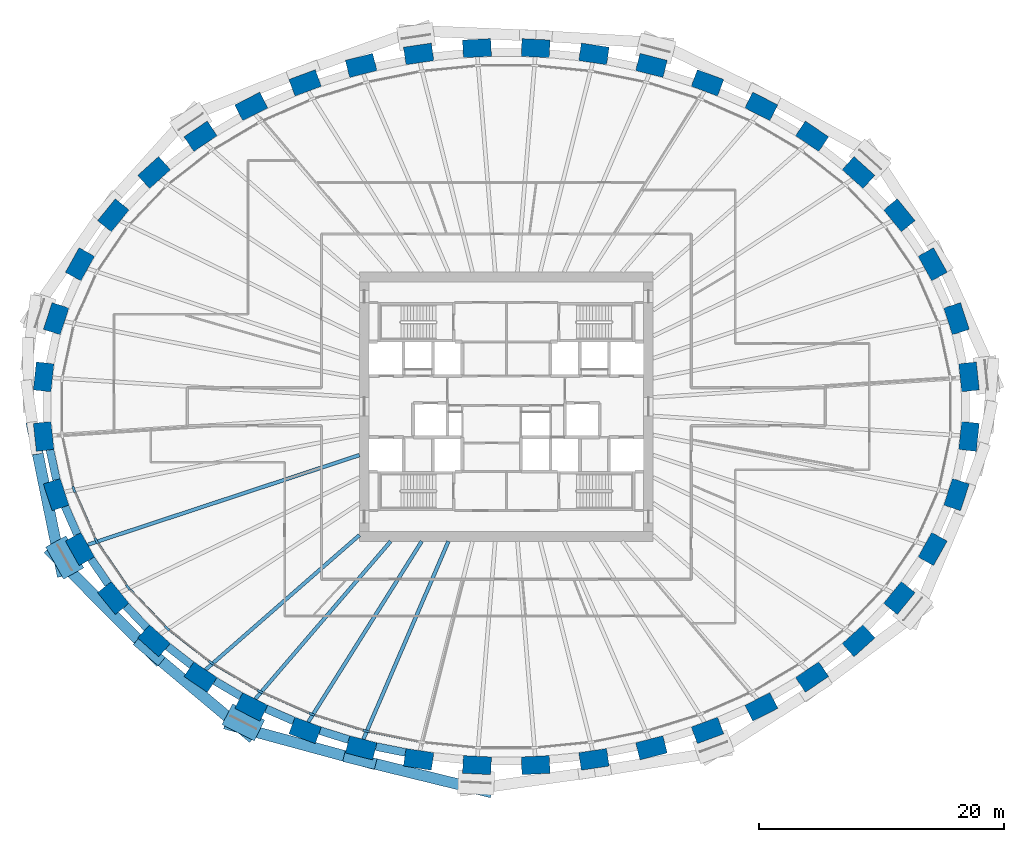
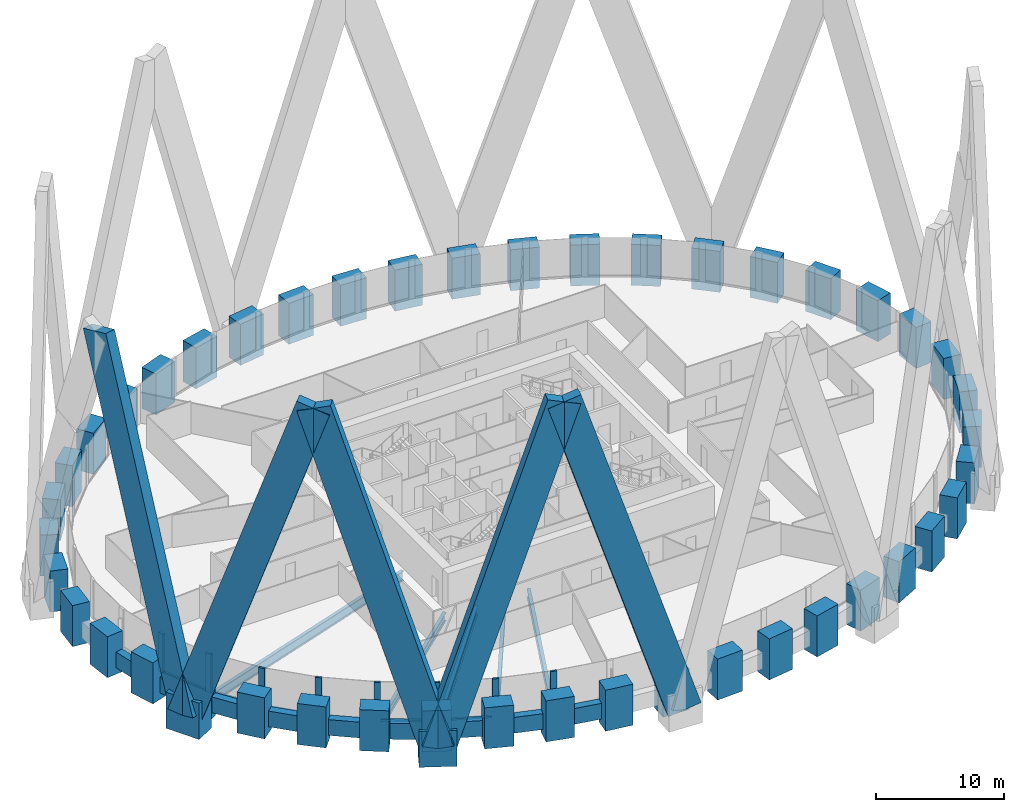
# One storey, part 1 of 12: 44 columns, 23 members, 14 beams, 1 element without a shape of its own.
"""IFC4 building model written with IfcOpenShell, lengths in metres."""

from ifc_helpers import new_model, si_unit, direction, frame, origin, origin_2d, place, context, subcontext, project, spatial, rectangle, i_section, extrude, source, transform, mapped, material, material_profile, profile_set, type_object, element, aggregate, save


model = new_model("IFC4")

# Units and contexts
model_context = context("Model", 3, precision=1e-05, world=origin(), true_north=direction((0.0, 1.0)))
body_context = subcontext(model_context, "Body", "Model", "MODEL_VIEW")
ifc_project = project(units=[si_unit("LENGTHUNIT", "METRE"), si_unit("AREAUNIT", "SQUARE_METRE"), si_unit("VOLUMEUNIT", "CUBIC_METRE"), si_unit("PLANEANGLEUNIT", "RADIAN"), si_unit("MASSUNIT", "GRAM", prefix="KILO")], contexts=[model_context])

# Site, building, storey
site_placement = place(None, origin())
site = spatial("IfcSite", under=ifc_project, at=site_placement, CompositionType="ELEMENT")
building_placement = place(site_placement, origin())
building = spatial("IfcBuilding", under=site, at=building_placement, Name="Embergate Tower", CompositionType="ELEMENT")
storey_placement = place(building_placement, frame((0.0, 0.0, 159.89990234375)))
storey = spatial("IfcBuildingStorey", under=building, at=storey_placement, Name="L35", CompositionType="ELEMENT", Elevation=159.89990234375)

# Columns
ifc_material_1 = material(Name="Concrete C70", Category="concrete")
ifc_material_profile_1 = material_profile(ifc_material_1, rectangle(XDim=1.449951171875, YDim=2.300048828125, at=origin_2d()), Name="RC 1450x2300")
ifc_profile_set_1 = profile_set([ifc_material_profile_1], Name="Concrete C70")
column_type = type_object("IfcColumnType", Name="Ring column RC 1450x2300 C70", PredefinedType="COLUMN", material=ifc_profile_set_1)
shared_shape_1 = source(origin(), body_context, "Body", "SweptSolid", [
    extrude(rectangle(XDim=1.449951171875, YDim=2.300048828125, at=origin_2d()), origin(), (0.0, 0.0, 1.0), 3.89990234375),
])
for number, where, z_axis, x_axis, name in (
    (1, (37.7919921875, 2.431884765625, -1.39990234375), (0.0, 0.0, 1.0), (0.99428589498, 0.106749983816, 0.0), "COL-L35-00"),
    (2, (36.76904296875, 7.18408203125, -1.39990234375), (0.0, 0.0, 1.0), (0.950754033697, 0.309946394413, 0.0), "COL-L35-01"),
    (3, (34.821044921875, 11.6279296875, -1.39990234375), (0.0, 0.0, 1.0), (0.873491969053, 0.486838556403, 0.0), "COL-L35-02"),
    (4, (32.10009765625, 15.62890625, -1.39990234375), (0.0, 0.0, 1.0), (0.775914301615, 0.630838328377, 0.0), "COL-L35-03"),
    (5, (28.76904296875, 19.1220703125, -1.39990234375), (0.0, 0.0, 1.0), (0.669208424634, 0.74307475021, 0.0), "COL-L35-04"),
    (6, (24.972900390625, 22.0849609375, -1.39990234375), (0.0, 0.0, 1.0), (0.560393279442, 0.828226643109, 0.0), "COL-L35-05"),
    (7, (20.830078125, 24.52099609375, -1.39990234375), (0.0, 0.0, 1.0), (0.452994952881, 0.891513080478, 0.0), "COL-L35-06"),
    (8, (16.43310546875, 26.444091796875, -1.39990234375), (0.0, 0.0, 1.0), (0.348343015724, 0.93736713373, 0.0), "COL-L35-07"),
    (9, (11.85595703125, 27.868896484375, -1.39990234375), (0.0, 0.0, 1.0), (0.246491603437, 0.969144926951, 0.0), "COL-L35-08"),
    (10, (7.158935546875, 28.81103515625, -1.39990234375), (0.0, 0.0, 1.0), (0.146929011949, 0.989147039346, 0.0), "COL-L35-09"),
    (11, (2.39404296875, 29.280029296875, -1.39990234375), (0.0, 0.0, 1.0), (0.048814904854, 0.998807841912, 0.0), "COL-L35-10"),
    (12, (-2.39404296875, 29.280029296875, -1.39990234375), (0.0, 0.0, 1.0), (-0.048814904854, 0.998807841912, 0.0), "COL-L35-11"),
    (13, (-7.158935546875, 28.81103515625, -1.39990234375), (0.0, 0.0, 1.0), (-0.146929011949, 0.989147039346, 0.0), "COL-L35-12"),
    (14, (-11.85595703125, 27.868896484375, -1.39990234375), (0.0, 0.0, 1.0), (-0.246491603437, 0.969144926951, 0.0), "COL-L35-13"),
    (15, (-16.43310546875, 26.444091796875, -1.39990234375), (0.0, 0.0, 1.0), (-0.348343015724, 0.93736713373, 0.0), "COL-L35-14"),
    (16, (-20.830078125, 24.52099609375, -1.39990234375), (0.0, 0.0, 1.0), (-0.452994952881, 0.891513080478, 0.0), "COL-L35-15"),
    (17, (-24.972900390625, 22.0849609375, -1.39990234375), (0.0, 0.0, 1.0), (-0.560393279442, 0.828226643109, 0.0), "COL-L35-16"),
    (18, (-28.76904296875, 19.1220703125, -1.39990234375), (0.0, 0.0, 1.0), (-0.669208424634, 0.74307475021, 0.0), "COL-L35-17"),
    (19, (-32.10009765625, 15.62890625, -1.39990234375), (0.0, 0.0, 1.0), (-0.775914301615, 0.630838328377, 0.0), "COL-L35-18"),
    (20, (-34.821044921875, 11.6279296875, -1.39990234375), (0.0, 0.0, 1.0), (-0.873491969053, 0.486838556403, 0.0), "COL-L35-19"),
    (21, (-36.76904296875, 7.18408203125, -1.39990234375), (0.0, 0.0, 1.0), (-0.950754033697, 0.309946394413, 0.0), "COL-L35-20"),
    (22, (-37.7919921875, 2.431884765625, -1.39990234375), (0.0, 0.0, 1.0), (-0.99428589498, 0.106749983816, 0.0), "COL-L35-21"),
    (23, (-37.7919921875, -2.431884765625, -1.39990234375), (0.0, 0.0, 1.0), (-0.99428589498, -0.106749983816, 0.0), "COL-L35-22"),
    (24, (-36.76904296875, -7.18408203125, -1.39990234375), (0.0, 0.0, 1.0), (-0.950754033697, -0.309946394413, 0.0), "COL-L35-23"),
    (25, (-34.821044921875, -11.6279296875, -1.39990234375), (0.0, 0.0, 1.0), (-0.873491969053, -0.486838556403, 0.0), "COL-L35-24"),
    (26, (-32.10009765625, -15.62890625, -1.39990234375), (0.0, 0.0, 1.0), (-0.775914301615, -0.630838328377, 0.0), "COL-L35-25"),
    (27, (-28.76904296875, -19.1220703125, -1.39990234375), (0.0, 0.0, 1.0), (-0.669208424634, -0.74307475021, 0.0), "COL-L35-26"),
    (28, (-24.972900390625, -22.0849609375, -1.39990234375), (0.0, 0.0, 1.0), (-0.560393279442, -0.828226643109, 0.0), "COL-L35-27"),
    (29, (-20.830078125, -24.52099609375, -1.39990234375), (0.0, 0.0, 1.0), (-0.452994952881, -0.891513080478, 0.0), "COL-L35-28"),
    (30, (-16.43310546875, -26.444091796875, -1.39990234375), (0.0, 0.0, 1.0), (-0.348343015724, -0.93736713373, 0.0), "COL-L35-29"),
    (31, (-11.85595703125, -27.868896484375, -1.39990234375), (0.0, 0.0, 1.0), (-0.246491603437, -0.969144926951, 0.0), "COL-L35-30"),
    (32, (-7.158935546875, -28.81103515625, -1.39990234375), (0.0, 0.0, 1.0), (-0.146929011949, -0.989147039346, 0.0), "COL-L35-31"),
    (33, (-2.39404296875, -29.280029296875, -1.39990234375), (0.0, 0.0, 1.0), (-0.048814904854, -0.998807841912, 0.0), "COL-L35-32"),
    (34, (2.39404296875, -29.280029296875, -1.39990234375), (0.0, 0.0, 1.0), (0.048814904854, -0.998807841912, 0.0), "COL-L35-33"),
    (35, (7.158935546875, -28.81103515625, -1.39990234375), (0.0, 0.0, 1.0), (0.146929011949, -0.989147039346, 0.0), "COL-L35-34"),
    (36, (11.85595703125, -27.868896484375, -1.39990234375), (0.0, 0.0, 1.0), (0.246491603437, -0.969144926951, 0.0), "COL-L35-35"),
    (37, (16.43310546875, -26.444091796875, -1.39990234375), (0.0, 0.0, 1.0), (0.348343015724, -0.93736713373, 0.0), "COL-L35-36"),
    (38, (20.830078125, -24.52099609375, -1.39990234375), (0.0, 0.0, 1.0), (0.452994952881, -0.891513080478, 0.0), "COL-L35-37"),
    (39, (24.972900390625, -22.0849609375, -1.39990234375), (0.0, 0.0, 1.0), (0.560393279442, -0.828226643109, 0.0), "COL-L35-38"),
    (40, (28.76904296875, -19.1220703125, -1.39990234375), (0.0, 0.0, 1.0), (0.669208424634, -0.74307475021, 0.0), "COL-L35-39"),
    (41, (32.10009765625, -15.62890625, -1.39990234375), (0.0, 0.0, 1.0), (0.775914301615, -0.630838328377, 0.0), "COL-L35-40"),
    (42, (34.821044921875, -11.6279296875, -1.39990234375), (0.0, 0.0, 1.0), (0.873491969053, -0.486838556403, 0.0), "COL-L35-41"),
    (43, (36.76904296875, -7.18408203125, -1.39990234375), (0.0, 0.0, 1.0), (0.950754033697, -0.309946394413, 0.0), "COL-L35-42"),
    (44, (37.7919921875, -2.431884765625, -1.39990234375), (0.0, 0.0, 1.0), (0.99428589498, -0.106749983816, 0.0), "COL-L35-43"),
):
    element("IfcColumn", number, at=place(storey_placement, frame(where, z_axis=z_axis, x_axis=x_axis)), inside=storey, type_object=column_type, Name=name, PredefinedType="COLUMN", context=body_context, shape_type="MappedRepresentation", body=[
        mapped(shared_shape_1, transform((0.0, 0.0, 0.0))),
    ])

# Beams
ifc_material_profile_2 = material_profile(ifc_material_1, rectangle(XDim=0.64990234375, YDim=1.5, at=origin_2d()), Name="RC 650x1500")
ifc_profile_set_2 = profile_set([ifc_material_profile_2], Name="Concrete C70")
beam_type_1 = type_object("IfcBeamType", Name="Spandrel beam RC 650x1500 C70", PredefinedType="BEAM", material=ifc_profile_set_2)
shared_shape_2 = source(origin(), body_context, "Body", "SweptSolid", [
    extrude(rectangle(XDim=0.64990234375, YDim=1.5, at=origin_2d()), origin(), (0.0, 0.0, 1.0), 2.490966796875),
])
beam_1_placement = place(storey_placement, frame((-37.27294921875, -3.532958984375, 0.0), z_axis=(0.210720345789, -0.977546385534, 0.0), x_axis=(0.977546385534, 0.210720345789, 0.0)))
element("IfcBeam", 45, at=beam_1_placement, inside=storey, type_object=beam_type_1, Name="SPN-L35-22", PredefinedType="BEAM", context=body_context, shape_type="MappedRepresentation", body=[
    mapped(shared_shape_2, transform((0.0, 0.0, 0.0))),
])
shared_shape_3 = source(origin(), body_context, "Body", "SweptSolid", [
    extrude(rectangle(XDim=0.64990234375, YDim=1.5, at=origin_2d()), origin(), (0.0, 0.0, 1.0), 2.48828125),
])
beam_2_placement = place(storey_placement, frame((-36.041015625, -8.156005859375, 0.0), z_axis=(0.401472379967, -0.91587113074, 0.0), x_axis=(0.91587113074, 0.401472379967, 0.0)))
element("IfcBeam", 46, at=beam_2_placement, inside=storey, type_object=beam_type_1, Name="SPN-L35-23", PredefinedType="BEAM", context=body_context, shape_type="MappedRepresentation", body=[
    mapped(shared_shape_3, transform((0.0, 0.0, 0.0))),
])
shared_shape_4 = source(origin(), body_context, "Body", "SweptSolid", [
    extrude(rectangle(XDim=0.64990234375, YDim=1.5, at=origin_2d()), origin(), (0.0, 0.0, 1.0), 2.4775390625),
])
beam_3_placement = place(storey_placement, frame((-33.910888671875, -12.43701171875, 0.0), z_axis=(0.562159078618, -0.827029123022, 0.0), x_axis=(0.827029123022, 0.562159078618, 0.0)))
element("IfcBeam", 47, at=beam_3_placement, inside=storey, type_object=beam_type_1, Name="SPN-L35-24", PredefinedType="BEAM", context=body_context, shape_type="MappedRepresentation", body=[
    mapped(shared_shape_4, transform((0.0, 0.0, 0.0))),
])
shared_shape_5 = source(origin(), body_context, "Body", "SweptSolid", [
    extrude(rectangle(XDim=0.64990234375, YDim=1.5, at=origin_2d()), origin(), (0.0, 0.0, 1.0), 2.473388671875),
])
beam_4_placement = place(storey_placement, frame((-31.072021484375, -16.27490234375, 0.0), z_axis=(0.69012823406, -0.723687101276, 0.0), x_axis=(0.723687101276, 0.69012823406, 0.0)))
element("IfcBeam", 48, at=beam_4_placement, inside=storey, type_object=beam_type_1, Name="SPN-L35-25", PredefinedType="BEAM", context=body_context, shape_type="MappedRepresentation", body=[
    mapped(shared_shape_5, transform((0.0, 0.0, 0.0))),
])
shared_shape_6 = source(origin(), body_context, "Body", "SweptSolid", [
    extrude(rectangle(XDim=0.64990234375, YDim=1.5, at=origin_2d()), origin(), (0.0, 0.0, 1.0), 2.466552734375),
])
beam_5_placement = place(storey_placement, frame((-27.64697265625, -19.593994140625, 0.0), z_axis=(0.788172909908, -0.615453868367, 0.0), x_axis=(0.615453868367, 0.788172909908, 0.0)))
element("IfcBeam", 49, at=beam_5_placement, inside=storey, type_object=beam_type_1, Name="SPN-L35-26", PredefinedType="BEAM", context=body_context, shape_type="MappedRepresentation", body=[
    mapped(shared_shape_6, transform((0.0, 0.0, 0.0))),
])
shared_shape_7 = source(origin(), body_context, "Body", "SweptSolid", [
    extrude(rectangle(XDim=0.64990234375, YDim=1.5, at=origin_2d()), origin(), (0.0, 0.0, 1.0), 2.46142578125),
])
beam_6_placement = place(storey_placement, frame((-23.801025390625, -22.405029296875, 0.0), z_axis=(0.86214832468, -0.506655964389, 0.0), x_axis=(0.506655964389, 0.86214832468, 0.0)))
element("IfcBeam", 50, at=beam_6_placement, inside=storey, type_object=beam_type_1, Name="SPN-L35-27", PredefinedType="BEAM", context=body_context, shape_type="MappedRepresentation", body=[
    mapped(shared_shape_7, transform((0.0, 0.0, 0.0))),
])
shared_shape_8 = source(origin(), body_context, "Body", "SweptSolid", [
    extrude(rectangle(XDim=0.64990234375, YDim=1.5, at=origin_2d()), origin(), (0.0, 0.0, 1.0), 2.456787109375),
])
beam_7_placement = place(storey_placement, frame((-19.62109375, -24.679931640625, 0.0), z_axis=(0.916257660854, -0.40058943936, 0.0), x_axis=(0.40058943936, 0.916257660854, 0.0)))
element("IfcBeam", 51, at=beam_7_placement, inside=storey, type_object=beam_type_1, Name="SPN-L35-28", PredefinedType="BEAM", context=body_context, shape_type="MappedRepresentation", body=[
    mapped(shared_shape_8, transform((0.0, 0.0, 0.0))),
])
shared_shape_9 = source(origin(), body_context, "Body", "SweptSolid", [
    extrude(rectangle(XDim=0.64990234375, YDim=1.5, at=origin_2d()), origin(), (0.0, 0.0, 1.0), 2.4541015625),
])
beam_8_placement = place(storey_placement, frame((-15.215087890625, -26.468017578125, 0.0), z_axis=(0.954736297307, -0.29745353016, 0.0), x_axis=(0.29745353016, 0.954736297307, 0.0)))
element("IfcBeam", 52, at=beam_8_placement, inside=storey, type_object=beam_type_1, Name="SPN-L35-29", PredefinedType="BEAM", context=body_context, shape_type="MappedRepresentation", body=[
    mapped(shared_shape_9, transform((0.0, 0.0, 0.0))),
])
shared_shape_10 = source(origin(), body_context, "Body", "SweptSolid", [
    extrude(rectangle(XDim=0.64990234375, YDim=1.5, at=origin_2d()), origin(), (0.0, 0.0, 1.0), 2.453125),
])
beam_9_placement = place(storey_placement, frame((-10.64306640625, -27.76611328125, 0.0), z_axis=(0.980431102511, -0.196862523679, 0.0), x_axis=(0.196862523679, 0.980431102511, 0.0)))
element("IfcBeam", 53, at=beam_9_placement, inside=storey, type_object=beam_type_1, Name="SPN-L35-30", PredefinedType="BEAM", context=body_context, shape_type="MappedRepresentation", body=[
    mapped(shared_shape_10, transform((0.0, 0.0, 0.0))),
])
ifc_material_2 = material(Name="Steel Q355B", Category="steel")
ifc_material_profile_3 = material_profile(ifc_material_2, i_section(OverallWidth=0.300048828125, OverallDepth=0.89990234375, WebThickness=0.01611328125, FlangeThickness=0.028076171875, FilletRadius=0.028076171875, at=origin_2d()), Name="HN 900x300x16x28")
ifc_profile_set_3 = profile_set([ifc_material_profile_3], Name="Steel Q355 grade B")
beam_type_2 = type_object("IfcBeamType", Name="Radial girder HN 900x300x16x28", PredefinedType="BEAM", material=ifc_profile_set_3)
shared_shape_11 = source(origin(), body_context, "Body", "SweptSolid", [
    extrude(i_section(OverallWidth=0.300048828125, OverallDepth=0.89990234375, WebThickness=0.01611328125, FlangeThickness=0.028076171875, FilletRadius=0.028076171875, at=origin_2d()), origin(), (0.0, 0.0, 1.0), 23.36328125),
])
beam_10_placement = place(storey_placement, frame((-34.18798828125, -11.27490234375, -0.64990234375), z_axis=(0.949694119995, 0.313178987877, 0.0), x_axis=(-0.313178987877, 0.949694119995, 0.0)))
element("IfcBeam", 54, at=beam_10_placement, inside=storey, type_object=beam_type_2, Name="GIR-L35-24", PredefinedType="BEAM", context=body_context, shape_type="MappedRepresentation", body=[
    mapped(shared_shape_11, transform((0.0, 0.0, 0.0))),
])
ifc_material_profile_4 = material_profile(ifc_material_2, i_section(OverallWidth=0.300048828125, OverallDepth=0.800048828125, WebThickness=0.013916015625, FlangeThickness=0.02587890625, FilletRadius=0.028076171875, at=origin_2d()), Name="HN 800x300x14x26")
ifc_profile_set_4 = profile_set([ifc_material_profile_4], Name="Steel Q355 grade B")
beam_type_3 = type_object("IfcBeamType", Name="Radial girder HN 800x300x14x26", PredefinedType="BEAM", material=ifc_profile_set_4)
shared_shape_12 = source(origin(), body_context, "Body", "SweptSolid", [
    extrude(i_section(OverallWidth=0.300048828125, OverallDepth=0.800048828125, WebThickness=0.013916015625, FlangeThickness=0.02587890625, FilletRadius=0.028076171875, at=origin_2d()), origin(), (0.0, 0.0, 1.0), 16.6953125),
])
beam_11_placement = place(storey_placement, frame((-24.56689453125, -21.485107421875, -0.599853515625), z_axis=(0.752719804108, 0.658341018397, 0.0), x_axis=(-0.658341018397, 0.752719804108, 0.0)))
element("IfcBeam", 55, at=beam_11_placement, inside=storey, type_object=beam_type_3, Name="GIR-L35-27", PredefinedType="BEAM", context=body_context, shape_type="MappedRepresentation", body=[
    mapped(shared_shape_12, transform((0.0, 0.0, 0.0))),
])
shared_shape_13 = source(origin(), body_context, "Body", "SweptSolid", [
    extrude(i_section(OverallWidth=0.300048828125, OverallDepth=0.800048828125, WebThickness=0.013916015625, FlangeThickness=0.02587890625, FilletRadius=0.028076171875, at=origin_2d()), origin(), (0.0, 0.0, 1.0), 16.970458984375),
])
beam_12_placement = place(storey_placement, frame((-20.501953125, -23.875, -0.599853515625), z_axis=(0.651477073616, 0.758668321833, 0.0), x_axis=(-0.758668321833, 0.651477073616, 0.0)))
element("IfcBeam", 56, at=beam_12_placement, inside=storey, type_object=beam_type_3, Name="GIR-L35-28", PredefinedType="BEAM", context=body_context, shape_type="MappedRepresentation", body=[
    mapped(shared_shape_13, transform((0.0, 0.0, 0.0))),
])
shared_shape_14 = source(origin(), body_context, "Body", "SweptSolid", [
    extrude(i_section(OverallWidth=0.300048828125, OverallDepth=0.800048828125, WebThickness=0.013916015625, FlangeThickness=0.02587890625, FilletRadius=0.028076171875, at=origin_2d()), origin(), (0.0, 0.0, 1.0), 17.433837890625),
])
beam_13_placement = place(storey_placement, frame((-16.179931640625, -25.763916015625, -0.599853515625), z_axis=(0.531834233156, 0.846848480216, 0.0), x_axis=(-0.846848480216, 0.531834233156, 0.0)))
element("IfcBeam", 57, at=beam_13_placement, inside=storey, type_object=beam_type_3, Name="GIR-L35-29", PredefinedType="BEAM", context=body_context, shape_type="MappedRepresentation", body=[
    mapped(shared_shape_14, transform((0.0, 0.0, 0.0))),
])
shared_shape_15 = source(origin(), body_context, "Body", "SweptSolid", [
    extrude(i_section(OverallWidth=0.300048828125, OverallDepth=0.800048828125, WebThickness=0.013916015625, FlangeThickness=0.02587890625, FilletRadius=0.028076171875, at=origin_2d()), origin(), (0.0, 0.0, 1.0), 17.59619140625),
])
beam_14_placement = place(storey_placement, frame((-11.677001953125, -27.166015625, -0.599853515625), z_axis=(0.394912057755, 0.918718926898, 0.0), x_axis=(-0.918718926898, 0.394912057755, 0.0)))
element("IfcBeam", 58, at=beam_14_placement, inside=storey, type_object=beam_type_3, Name="GIR-L35-30", PredefinedType="BEAM", context=body_context, shape_type="MappedRepresentation", body=[
    mapped(shared_shape_15, transform((0.0, 0.0, 0.0))),
])

# Members
ifc_material_profile_5 = material_profile(ifc_material_1, rectangle(XDim=1.89990234375, YDim=3.0, at=origin_2d()), Name="RC 1900x3000")
ifc_profile_set_5 = profile_set([ifc_material_profile_5], Name="Concrete C70")
member_type_1 = type_object("IfcMemberType", Name="Lattice node block RC 1900x3000", PredefinedType="POST", material=ifc_profile_set_5)
shared_shape_16 = source(origin(), body_context, "Body", "SweptSolid", [
    extrude(rectangle(XDim=1.89990234375, YDim=3.0, at=origin_2d()), origin(), (0.0, 0.0, 1.0), 3.449951171875),
])
member_1_placement = place(storey_placement, frame((-36.06591796875, -12.321044921875, -1.724853515625), z_axis=(0.0, 0.0, 1.0), x_axis=(-0.873491969053, -0.486838556403, 0.0)))
element("IfcMember", 59, at=member_1_placement, inside=storey, type_object=member_type_1, Name="NOD-L35-24", PredefinedType="POST", context=body_context, shape_type="MappedRepresentation", body=[
    mapped(shared_shape_16, transform((0.0, 0.0, 0.0))),
])
ifc_material_profile_6 = material_profile(ifc_material_1, rectangle(XDim=1.89990234375, YDim=2.949951171875, at=origin_2d()), Name="RC 1900x2950")
ifc_profile_set_6 = profile_set([ifc_material_profile_6], Name="Concrete C70")
member_type_2 = type_object("IfcMemberType", Name="Lattice node block RC 1900x2950", PredefinedType="POST", material=ifc_profile_set_6)
shared_shape_17 = source(origin(), body_context, "Body", "SweptSolid", [
    extrude(rectangle(XDim=1.89990234375, YDim=2.949951171875, at=origin_2d()), origin(), (0.0, 0.0, 1.0), 3.400146484375),
])
member_2_placement = place(storey_placement, frame((-21.47607421875, -25.791015625, -1.699951171875), z_axis=(0.0, 0.0, 1.0), x_axis=(-0.452994952881, -0.891513080478, 0.0)))
element("IfcMember", 60, at=member_2_placement, inside=storey, type_object=member_type_2, Name="NOD-L35-28", PredefinedType="POST", context=body_context, shape_type="MappedRepresentation", body=[
    mapped(shared_shape_17, transform((0.0, 0.0, 0.0))),
])
ifc_material_profile_7 = material_profile(ifc_material_1, rectangle(XDim=0.89990234375, YDim=2.800048828125, at=origin_2d()), Name="RC 900x2800")
ifc_profile_set_7 = profile_set([ifc_material_profile_7], Name="Concrete C70")
member_type_3 = type_object("IfcMemberType", Name="Lattice diagonal terracotta-faced RC 900x2800", PredefinedType="BRACE", material=ifc_profile_set_7)
shared_shape_18 = source(origin(), body_context, "Body", "SweptSolid", [
    extrude(rectangle(XDim=0.89990234375, YDim=2.800048828125, at=origin_2d()), origin(), (0.0, 0.0, 1.0), 32.826416015625),
])
member_3_placement = place(storey_placement, frame((-36.49609375, -12.56103515625, 0.0), z_axis=(-0.062079547136, 0.304574291879, 0.950463376756), x_axis=(-0.979853489805, -0.199717646987, 0.0)))
element("IfcMember", 61, at=member_3_placement, inside=storey, type_object=member_type_3, Name="BRC-L35-24-22-S00", PredefinedType="BRACE", context=body_context, shape_type="MappedRepresentation", body=[
    mapped(shared_shape_18, transform((0.0, 0.0, 0.0))),
])
shared_shape_19 = source(origin(), body_context, "Body", "SweptSolid", [
    extrude(rectangle(XDim=0.89990234375, YDim=2.800048828125, at=origin_2d()), origin(), (0.0, 0.0, 1.0), 32.893798828125),
])
member_4_placement = place(storey_placement, frame((-36.49609375, -12.56103515625, 0.0), z_axis=(0.222900483869, -0.225023204247, 0.948514592319), x_axis=(0.710449798326, 0.703747883875, 0.0)))
element("IfcMember", 62, at=member_4_placement, inside=storey, type_object=member_type_3, Name="BRC-L35-24-26-S00", PredefinedType="BRACE", context=body_context, shape_type="MappedRepresentation", body=[
    mapped(shared_shape_19, transform((0.0, 0.0, 0.0))),
])
shared_shape_20 = source(origin(), body_context, "Body", "SweptSolid", [
    extrude(rectangle(XDim=0.89990234375, YDim=2.800048828125, at=origin_2d()), origin(), (0.0, 0.0, 1.0), 32.6875),
])
member_5_placement = place(storey_placement, frame((-21.698974609375, -26.23095703125, 0.0), z_axis=(-0.228377906686, 0.191757673292, 0.954501192493), x_axis=(-0.643035240707, -0.765836587797, 0.0)))
element("IfcMember", 63, at=member_5_placement, inside=storey, type_object=member_type_3, Name="BRC-L35-28-26-S00", PredefinedType="BRACE", context=body_context, shape_type="MappedRepresentation", body=[
    mapped(shared_shape_20, transform((0.0, 0.0, 0.0))),
])
shared_shape_21 = source(origin(), body_context, "Body", "SweptSolid", [
    extrude(rectangle(XDim=0.89990234375, YDim=2.800048828125, at=origin_2d()), origin(), (0.0, 0.0, 1.0), 32.791015625),
])
member_6_placement = place(storey_placement, frame((-21.698974609375, -26.23095703125, 0.0), z_axis=(0.296943266089, -0.080603460088, 0.951487140715), x_axis=(0.261964475998, 0.965077516739, 0.0)))
element("IfcMember", 64, at=member_6_placement, inside=storey, type_object=member_type_3, Name="BRC-L35-28-30-S00", PredefinedType="BRACE", context=body_context, shape_type="MappedRepresentation", body=[
    mapped(shared_shape_21, transform((0.0, 0.0, 0.0))),
])
shared_shape_22 = source(origin(), body_context, "Body", "SweptSolid", [
    extrude(rectangle(XDim=0.89990234375, YDim=2.800048828125, at=origin_2d()), origin(), (0.0, 0.0, 1.0), 32.689697265625),
])
member_7_placement = place(storey_placement, frame((-2.487060546875, -31.195068359375, 0.0), z_axis=(-0.289842737459, 0.071002471206, 0.954436921239), x_axis=(-0.23793377995, -0.971281378571, 0.0)))
element("IfcMember", 65, at=member_7_placement, inside=storey, type_object=member_type_3, Name="BRC-L35-32-30-S00", PredefinedType="BRACE", context=body_context, shape_type="MappedRepresentation", body=[
    mapped(shared_shape_22, transform((0.0, 0.0, 0.0))),
])

# Curtain wall, members
ifc_material_3 = material(Name="Aluminium and glass", Category="aluminium")
curtain_wall_type = type_object("IfcCurtainWallType", Name="Recessed office glazing", PredefinedType="NOTDEFINED", material=ifc_material_3)
curtain_wall_placement = place(storey_placement, origin())
curtain_wall = element("IfcCurtainWall", 66, at=curtain_wall_placement, inside=storey, type_object=curtain_wall_type, Name="Recessed office glazing ring", ObjectType="RECESSED OFFICE GLAZING", PredefinedType="USERDEFINED")
ifc_material_4 = material(Name="Aluminium, thermally broken", Category="aluminium")
ifc_material_profile_8 = material_profile(ifc_material_4, rectangle(XDim=0.179931640625, YDim=0.52001953125, at=origin_2d()), Name="AL 520x180")
ifc_profile_set_8 = profile_set([ifc_material_profile_8], Name="Aluminium, thermally broken")
member_type_4 = type_object("IfcMemberType", Name="Office mullion", PredefinedType="MULLION", material=ifc_profile_set_8)
shared_shape_23 = source(origin(), body_context, "Body", "SweptSolid", [
    extrude(rectangle(XDim=0.179931640625, YDim=0.52001953125, at=origin_2d()), origin(), (0.0, 0.0, 1.0), 3.7001953125),
])
member_8_placement = place(storey_placement, frame((-35.318115234375, -6.763427734375, 0.0), z_axis=(0.0, 0.0, 1.0), x_axis=(0.951497797992, 0.307655554826, 0.0)))
member_8 = element("IfcMember", 67, at=member_8_placement, type_object=member_type_4, Name="CW mullion 24", PredefinedType="MULLION", context=body_context, shape_type="MappedRepresentation", body=[
    mapped(shared_shape_23, transform((0.0, 0.0, 0.0))),
])
member_9_placement = place(storey_placement, frame((-33.4765625, -10.96240234375, 0.0), z_axis=(0.0, 0.0, 1.0), x_axis=(0.875001895832, 0.484119491748, 0.0)))
member_9 = element("IfcMember", 68, at=member_9_placement, type_object=member_type_4, Name="CW mullion 25", PredefinedType="MULLION", context=body_context, shape_type="MappedRepresentation", body=[
    mapped(shared_shape_23, transform((0.0, 0.0, 0.0))),
])
member_10_placement = place(storey_placement, frame((-30.89306640625, -14.76123046875, 0.0), z_axis=(0.0, 0.0, 1.0), x_axis=(0.777872564355, 0.628422050555, 0.0)))
member_10 = element("IfcMember", 69, at=member_10_placement, type_object=member_type_4, Name="CW mullion 26", PredefinedType="MULLION", context=body_context, shape_type="MappedRepresentation", body=[
    mapped(shared_shape_23, transform((0.0, 0.0, 0.0))),
])
member_11_placement = place(storey_placement, frame((-27.716796875, -18.092041015625, 0.0), z_axis=(0.0, 0.0, 1.0), x_axis=(0.671226533956, 0.741252278319, 0.0)))
member_11 = element("IfcMember", 70, at=member_11_placement, type_object=member_type_4, Name="CW mullion 27", PredefinedType="MULLION", context=body_context, shape_type="MappedRepresentation", body=[
    mapped(shared_shape_23, transform((0.0, 0.0, 0.0))),
])
member_12_placement = place(storey_placement, frame((-24.08251953125, -20.9287109375, 0.0), z_axis=(0.0, 0.0, 1.0), x_axis=(0.562216175174, 0.826990309721, 0.0)))
member_12 = element("IfcMember", 71, at=member_12_placement, type_object=member_type_4, Name="CW mullion 28", PredefinedType="MULLION", context=body_context, shape_type="MappedRepresentation", body=[
    mapped(shared_shape_23, transform((0.0, 0.0, 0.0))),
])
member_13_placement = place(storey_placement, frame((-20.103271484375, -23.26806640625, 0.0), z_axis=(0.0, 0.0, 1.0), x_axis=(0.454509825889, 0.890741723605, 0.0)))
member_13 = element("IfcMember", 72, at=member_13_placement, type_object=member_type_4, Name="CW mullion 29", PredefinedType="MULLION", context=body_context, shape_type="MappedRepresentation", body=[
    mapped(shared_shape_23, transform((0.0, 0.0, 0.0))),
])
member_14_placement = place(storey_placement, frame((-15.86962890625, -25.119384765625, 0.0), z_axis=(0.0, 0.0, 1.0), x_axis=(0.349502682851, 0.936935363128, 0.0)))
member_14 = element("IfcMember", 73, at=member_14_placement, type_object=member_type_4, Name="CW mullion 30", PredefinedType="MULLION", context=body_context, shape_type="MappedRepresentation", body=[
    mapped(shared_shape_23, transform((0.0, 0.0, 0.0))),
])
member_15_placement = place(storey_placement, frame((-11.454833984375, -26.494140625, 0.0), z_axis=(0.0, 0.0, 1.0), x_axis=(0.24731188137, 0.968935928394, 0.0)))
member_15 = element("IfcMember", 74, at=member_15_placement, type_object=member_type_4, Name="CW mullion 31", PredefinedType="MULLION", context=body_context, shape_type="MappedRepresentation", body=[
    mapped(shared_shape_23, transform((0.0, 0.0, 0.0))),
])
ifc_material_profile_9 = material_profile(ifc_material_4, rectangle(XDim=0.179931640625, YDim=0.14990234375, at=origin_2d()), Name="AL 150x180")
ifc_profile_set_9 = profile_set([ifc_material_profile_9], Name="Aluminium, thermally broken")
member_type_5 = type_object("IfcMemberType", Name="Office sill transom", PredefinedType="USERDEFINED", material=ifc_profile_set_9)
shared_shape_24 = source(origin(), body_context, "Body", "SweptSolid", [
    extrude(rectangle(XDim=0.179931640625, YDim=0.14990234375, at=origin_2d()), origin(), (0.0, 0.0, 1.0), 4.06494140625),
])
member_16_placement = place(storey_placement, frame((-35.213623046875, -7.001708984375, 0.0751953125), z_axis=(0.401675633899, -0.91578200743, 0.0), x_axis=(0.91578200743, 0.401675633899, 0.0)))
member_16 = element("IfcMember", 75, at=member_16_placement, type_object=member_type_5, Name="CW transom 24.1", ObjectType="TRANSOM", PredefinedType="USERDEFINED", context=body_context, shape_type="MappedRepresentation", body=[
    mapped(shared_shape_24, transform((0.0, 0.0, 0.0))),
])
shared_shape_25 = source(origin(), body_context, "Body", "SweptSolid", [
    extrude(rectangle(XDim=0.179931640625, YDim=0.14990234375, at=origin_2d()), origin(), (0.0, 0.0, 1.0), 4.073974609375),
])
member_17_placement = place(storey_placement, frame((-33.330322265625, -11.177490234375, 0.0751953125), z_axis=(0.562337885641, -0.826907553704, 0.0), x_axis=(0.826907553704, 0.562337885641, 0.0)))
member_17 = element("IfcMember", 76, at=member_17_placement, type_object=member_type_5, Name="CW transom 25.1", ObjectType="TRANSOM", PredefinedType="USERDEFINED", context=body_context, shape_type="MappedRepresentation", body=[
    mapped(shared_shape_25, transform((0.0, 0.0, 0.0))),
])
shared_shape_26 = source(origin(), body_context, "Body", "SweptSolid", [
    extrude(rectangle(XDim=0.179931640625, YDim=0.14990234375, at=origin_2d()), origin(), (0.0, 0.0, 1.0), 4.082763671875),
])
member_18_placement = place(storey_placement, frame((-30.713623046875, -14.949462890625, 0.0751953125), z_axis=(0.690134333582, -0.723681284552, 0.0), x_axis=(0.723681284552, 0.690134333582, 0.0)))
member_18 = element("IfcMember", 77, at=member_18_placement, type_object=member_type_5, Name="CW transom 26.1", ObjectType="TRANSOM", PredefinedType="USERDEFINED", context=body_context, shape_type="MappedRepresentation", body=[
    mapped(shared_shape_26, transform((0.0, 0.0, 0.0))),
])
shared_shape_27 = source(origin(), body_context, "Body", "SweptSolid", [
    extrude(rectangle(XDim=0.179931640625, YDim=0.14990234375, at=origin_2d()), origin(), (0.0, 0.0, 1.0), 4.090087890625),
])
member_19_placement = place(storey_placement, frame((-27.51171875, -18.252197265625, 0.0751953125), z_axis=(0.788341910095, -0.615237379219, 0.0), x_axis=(0.615237379219, 0.788341910095, 0.0)))
member_19 = element("IfcMember", 78, at=member_19_placement, type_object=member_type_5, Name="CW transom 27.1", ObjectType="TRANSOM", PredefinedType="USERDEFINED", context=body_context, shape_type="MappedRepresentation", body=[
    mapped(shared_shape_27, transform((0.0, 0.0, 0.0))),
])
shared_shape_28 = source(origin(), body_context, "Body", "SweptSolid", [
    extrude(rectangle(XDim=0.179931640625, YDim=0.14990234375, at=origin_2d()), origin(), (0.0, 0.0, 1.0), 4.095947265625),
])
member_20_placement = place(storey_placement, frame((-23.8583984375, -21.060302734375, 0.0751953125), z_axis=(0.86205523764, -0.506814332134, 0.0), x_axis=(0.506814332134, 0.86205523764, 0.0)))
member_20 = element("IfcMember", 79, at=member_20_placement, type_object=member_type_5, Name="CW transom 28.1", ObjectType="TRANSOM", PredefinedType="USERDEFINED", context=body_context, shape_type="MappedRepresentation", body=[
    mapped(shared_shape_28, transform((0.0, 0.0, 0.0))),
])
shared_shape_29 = source(origin(), body_context, "Body", "SweptSolid", [
    extrude(rectangle(XDim=0.179931640625, YDim=0.14990234375, at=origin_2d()), origin(), (0.0, 0.0, 1.0), 4.1005859375),
])
member_21_placement = place(storey_placement, frame((-19.864990234375, -23.372314453125, 0.0751953125), z_axis=(0.916237937351, -0.400634549382, 0.0), x_axis=(0.400634549382, 0.916237937351, 0.0)))
member_21 = element("IfcMember", 80, at=member_21_placement, type_object=member_type_5, Name="CW transom 29.1", ObjectType="TRANSOM", PredefinedType="USERDEFINED", context=body_context, shape_type="MappedRepresentation", body=[
    mapped(shared_shape_29, transform((0.0, 0.0, 0.0))),
])
shared_shape_30 = source(origin(), body_context, "Body", "SweptSolid", [
    extrude(rectangle(XDim=0.179931640625, YDim=0.14990234375, at=origin_2d()), origin(), (0.0, 0.0, 1.0), 4.103759765625),
])
member_22_placement = place(storey_placement, frame((-15.621337890625, -25.196533203125, 0.0751953125), z_axis=(0.954772738111, -0.297336540911, 0.0), x_axis=(0.297336540911, 0.954772738111, 0.0)))
member_22 = element("IfcMember", 81, at=member_22_placement, type_object=member_type_5, Name="CW transom 30.1", ObjectType="TRANSOM", PredefinedType="USERDEFINED", context=body_context, shape_type="MappedRepresentation", body=[
    mapped(shared_shape_30, transform((0.0, 0.0, 0.0))),
])
shared_shape_31 = source(origin(), body_context, "Body", "SweptSolid", [
    extrude(rectangle(XDim=0.179931640625, YDim=0.14990234375, at=origin_2d()), origin(), (0.0, 0.0, 1.0), 4.10595703125),
])
member_23_placement = place(storey_placement, frame((-11.199951171875, -26.54541015625, 0.0751953125), z_axis=(0.980477631016, -0.196630656505, 0.0), x_axis=(0.196630656505, 0.980477631016, 0.0)))
member_23 = element("IfcMember", 82, at=member_23_placement, type_object=member_type_5, Name="CW transom 31.1", ObjectType="TRANSOM", PredefinedType="USERDEFINED", context=body_context, shape_type="MappedRepresentation", body=[
    mapped(shared_shape_31, transform((0.0, 0.0, 0.0))),
])
aggregate(curtain_wall, [member_8, member_9, member_10, member_11, member_12, member_13, member_14, member_15, member_16, member_17, member_18, member_19, member_20, member_21, member_22, member_23])

save(model, "model.ifc")
